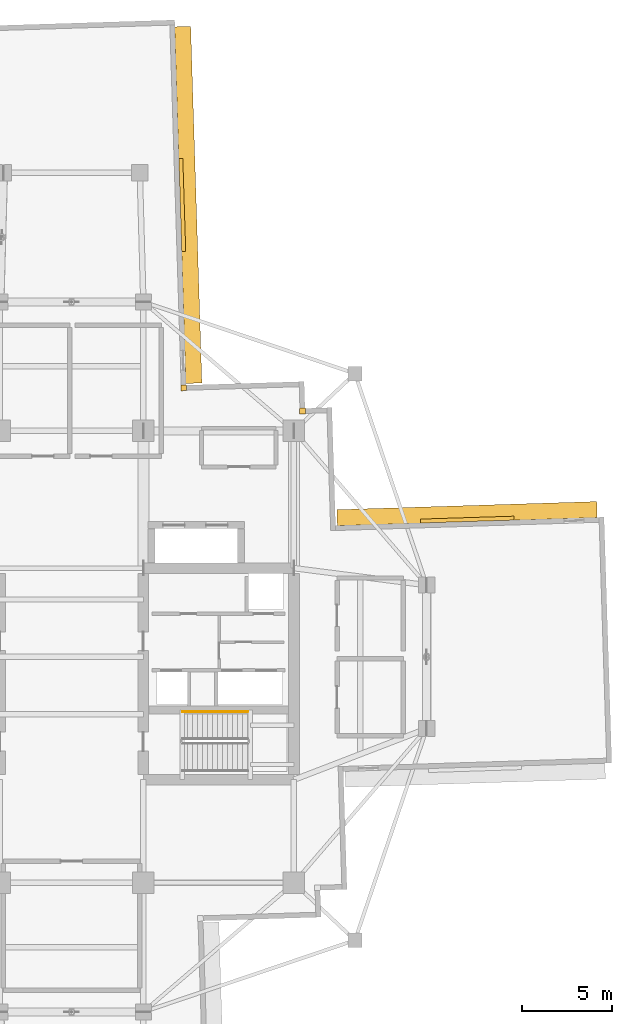
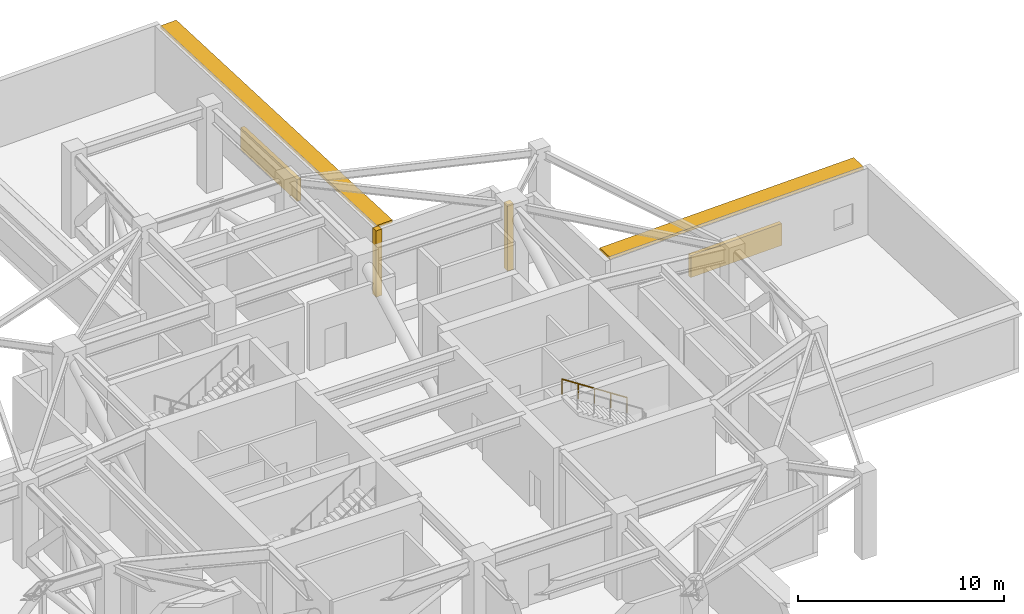
# One storey, part 17 of 17: 4 shading devices, 2 coverings, 1 railing.
"""IFC4 building model written with IfcOpenShell, lengths in metres."""

import ifcopenshell
import ifcopenshell.guid

model = None  # the IFC model being written
_history = None  # IfcOwnerHistory: only IFC2X3 demands one
_inside = {}  # id of a spatial element -> (the spatial element, [elements in it])
_under = {}  # id of a project, library or spatial element -> (it, [spatial elements below it])
_declared = {}  # id of a project -> (the project, [libraries it declares])
_typed = {}  # id of a type object -> (the type object, [elements of that type])
_made_of = {}  # id of a material, layer set ... -> (it, [elements and type objects made of it])


def new_model(schema):
    """Start an empty IFC model of exactly this schema.

    Asked for "IFC4X3", IfcOpenShell would pick the latest addendum, in which some entities
    have other attributes; the version numbers below select the first issue.
    IFC2X3 requires an IfcOwnerHistory on every rooted entity: one is made here for all.
    """
    global model, _history
    if schema == "IFC4X3":
        model = ifcopenshell.file(schema_version=(4, 3, 0, 0))
    else:
        model = ifcopenshell.file(schema=schema)
    _inside.clear()
    _under.clear()
    _declared.clear()
    _typed.clear()
    _made_of.clear()
    _history = None
    if model.schema == "IFC2X3":
        org = make("IfcOrganization", Name="unknown")
        user = make(
            "IfcPersonAndOrganization",
            ThePerson=make("IfcPerson", FamilyName="unknown"),
            TheOrganization=org,
        )
        app = make(
            "IfcApplication",
            ApplicationDeveloper=org,
            Version="unknown",
            ApplicationFullName="unknown",
            ApplicationIdentifier="unknown",
        )
        _history = make(
            "IfcOwnerHistory",
            OwningUser=user,
            OwningApplication=app,
            ChangeAction="ADDED",
            CreationDate=0,
        )
    return model


def make(cls, **values):
    """One entity of the class cls with the attributes given. An attribute that is None is left unset."""
    return model.create_entity(
        cls, **{name: value for name, value in values.items() if value is not None}
    )


def rooted(cls, **values):
    """An entity with a GlobalId (a new one), such as an element, a storey or a relation."""
    return make(cls, GlobalId=ifcopenshell.guid.new(), OwnerHistory=_history, **values)


def si_unit(unit_type, name, prefix=None):
    """IfcSIUnit, for example si_unit("LENGTHUNIT", "METRE", prefix="MILLI")."""
    return make("IfcSIUnit", UnitType=unit_type, Prefix=prefix, Name=name)


def assignment(units):
    """IfcUnitAssignment: the units of a project."""
    return None if units is None else make("IfcUnitAssignment", Units=units)


def point(xyz):
    """IfcCartesianPoint."""
    return None if xyz is None else make("IfcCartesianPoint", Coordinates=xyz)


def direction(xyz):
    """IfcDirection."""
    return None if xyz is None else make("IfcDirection", DirectionRatios=xyz)


def frame(location, z_axis=None, x_axis=None):
    """IfcAxis2Placement3D, a coordinate frame: its origin and axes. An axis left out is left unset."""
    return make(
        "IfcAxis2Placement3D",
        Location=point(location),
        Axis=direction(z_axis),
        RefDirection=direction(x_axis),
    )


def frame_2d(location, x_axis=None):
    """IfcAxis2Placement2D, a coordinate frame in the plane: its origin and x axis."""
    return make(
        "IfcAxis2Placement2D", Location=point(location), RefDirection=direction(x_axis)
    )


def origin():
    """The frame at (0, 0, 0) with its axes left unset."""
    return frame((0.0, 0.0, 0.0))


def origin_2d():
    """The frame at (0, 0) in the plane with its x axis left unset."""
    return frame_2d((0.0, 0.0))


def place(relative_to, where):
    """IfcLocalPlacement: puts the frame where relative to a parent placement (None: the world)."""
    return make(
        "IfcLocalPlacement", PlacementRelTo=relative_to, RelativePlacement=where
    )


def context(
    kind, dimensions, precision=None, world=None, true_north=None, identifier=None
):
    """IfcGeometricRepresentationContext, for example the 3D "Model" context."""
    return make(
        "IfcGeometricRepresentationContext",
        ContextIdentifier=identifier,
        ContextType=kind,
        CoordinateSpaceDimension=dimensions,
        Precision=precision,
        WorldCoordinateSystem=world,
        TrueNorth=true_north,
    )


def subcontext(parent, identifier, kind, view, scale=None):
    """IfcGeometricRepresentationSubContext, for example "Body" below "Model"."""
    return make(
        "IfcGeometricRepresentationSubContext",
        ContextIdentifier=identifier,
        ContextType=kind,
        ParentContext=parent,
        TargetScale=scale,
        TargetView=view,
    )


def project(units=None, contexts=None):
    """IfcProject with its units and contexts."""
    return rooted(
        "IfcProject",
        Name="project",
        RepresentationContexts=contexts,
        UnitsInContext=assignment(units),
    )


def spatial(cls, under=None, at=None, **own):
    """A site, building, storey or space (cls), placed at a placement, below another one or the project."""
    s = rooted(cls, ObjectPlacement=at, **own)
    if under is not None:
        _under.setdefault(under.id(), (under, []))[1].append(s)
    return s


def profile(cls, at=None, kind="AREA", **sizes):
    """A parametric profile (cls). Its sizes go by their IFC names, for example OverallWidth=200.0."""
    return make(cls, ProfileType=kind, Position=at, **sizes)


def rectangle(**sizes):
    """IfcRectangleProfileDef."""
    return profile("IfcRectangleProfileDef", **sizes)


def circle(**sizes):
    """IfcCircleProfileDef."""
    return profile("IfcCircleProfileDef", **sizes)


def extrude(swept, where, along, depth):
    """IfcExtrudedAreaSolid: the profile swept, set in the frame where, extruded along a direction by depth."""
    return make(
        "IfcExtrudedAreaSolid",
        SweptArea=swept,
        Position=where,
        ExtrudedDirection=direction(along),
        Depth=depth,
    )


def shape(context_of_items, identifier, shape_type, items):
    """IfcShapeRepresentation: the items that make up one representation, for example the "Body"."""
    return make(
        "IfcShapeRepresentation",
        ContextOfItems=context_of_items,
        RepresentationIdentifier=identifier,
        RepresentationType=shape_type,
        Items=items,
    )


def material(Name=None, Category=None):
    """IfcMaterial."""
    return make("IfcMaterial", Name=Name, Category=Category)


def layer(
    of_material, thickness, ventilated=None, Name=None, Category=None, Priority=None
):
    """IfcMaterialLayer: one layer of a wall or slab, of a material (None: an air gap)."""
    return make(
        "IfcMaterialLayer",
        Material=of_material,
        LayerThickness=thickness,
        IsVentilated=ventilated,
        Name=Name,
        Category=Category,
        Priority=Priority,
    )


def layer_set(layers, Name=None):
    """IfcMaterialLayerSet."""
    return make("IfcMaterialLayerSet", MaterialLayers=layers, LayerSetName=Name)


def made_of(thing, what):
    """Note that an element or type object is made of a material, layer set ...; save() writes the relation."""
    if what is not None:
        _made_of.setdefault(what.id(), (what, []))[1].append(thing)
    return thing


def type_object(cls, material=None, **own):
    """A type object (cls), such as IfcWallType, which elements share."""
    return made_of(rooted(cls, **own), material)


def element(
    cls,
    number,
    at=None,
    inside=None,
    cuts=None,
    type_object=None,
    material=None,
    context=None,
    identifier="Body",
    shape_type=None,
    held_by="IfcProductDefinitionShape",
    body=None,
    shapes=None,
    **own,
):
    """One element of the class cls, such as IfcWall. Its Tag is "e" and its number.

    at: its placement. inside: the storey or other place that contains it. cuts: it is an
    opening in that element (IfcRelVoidsElement). A single representation is given by context,
    identifier, shape_type and body (its items); several are given by shapes. held_by: the class
    of the entity that holds the representations. save() writes the other relations.
    """
    e = rooted(cls, Tag="e%d" % number, ObjectPlacement=at, **own)
    if body is not None:
        shapes = [shape(context, identifier, shape_type, body)]
    if shapes is not None:
        e.Representation = make(held_by, Representations=shapes)
    if inside is not None:
        _inside.setdefault(inside.id(), (inside, []))[1].append(e)
    if cuts is not None:
        rooted(
            "IfcRelVoidsElement", RelatingBuildingElement=cuts, RelatedOpeningElement=e
        )
    if type_object is not None:
        _typed.setdefault(type_object.id(), (type_object, []))[1].append(e)
    return made_of(e, material)


def aggregate(whole, parts):
    """IfcRelAggregates: a whole, such as a stair, and the parts it consists of."""
    return rooted("IfcRelAggregates", RelatingObject=whole, RelatedObjects=parts)


def save(model, path):
    """Write the relations noted so far, then the file.

    IfcRelAggregates (storeys below a building ...), IfcRelContainedInSpatialStructure (elements
    in a storey), IfcRelDefinesByType, IfcRelAssociatesMaterial and IfcRelDeclares: one each for
    every whole, place, type object, material and project.
    """
    for whole, parts in _under.values():
        aggregate(whole, parts)
    for where, things in _inside.values():
        rooted(
            "IfcRelContainedInSpatialStructure",
            RelatedElements=things,
            RelatingStructure=where,
        )
    for kind, things in _typed.values():
        rooted("IfcRelDefinesByType", RelatedObjects=things, RelatingType=kind)
    for what, things in _made_of.values():
        rooted("IfcRelAssociatesMaterial", RelatedObjects=things, RelatingMaterial=what)
    for by, libraries in _declared.values():
        rooted("IfcRelDeclares", RelatingContext=by, RelatedDefinitions=libraries)
    model.write(path)


model = new_model("IFC4")

# Units and contexts
model_context = context("Model", 3, precision=1e-05, world=origin(), true_north=direction((0.0, 1.0)))
body_context = subcontext(model_context, "Body", "Model", "MODEL_VIEW")
ifc_project = project(units=[si_unit("LENGTHUNIT", "METRE"), si_unit("AREAUNIT", "SQUARE_METRE"), si_unit("VOLUMEUNIT", "CUBIC_METRE"), si_unit("PLANEANGLEUNIT", "RADIAN"), si_unit("MASSUNIT", "GRAM", prefix="KILO")], contexts=[model_context])

# Site, building, storey
site_placement = place(None, origin())
site = spatial("IfcSite", under=ifc_project, at=site_placement, CompositionType="ELEMENT")
building_placement = place(site_placement, origin())
building = spatial("IfcBuilding", under=site, at=building_placement, Name="Qingluan Cross Belvedere", CompositionType="ELEMENT")
storey_placement = place(building_placement, frame((0.0, 0.0, 191.699951171875)))
storey = spatial("IfcBuildingStorey", under=building, at=storey_placement, Name="L48", CompositionType="ELEMENT", Elevation=191.699951171875)

# Coverings
ifc_material_1 = material(Name="Precast concrete C45", Category="concrete")
ifc_layer_1 = layer(ifc_material_1, 0.1201171875, Name="ConcreteSpandrelCladding_120")
ifc_layer_set_1 = layer_set([ifc_layer_1], Name="Precast concrete C45")
covering_type = type_object("IfcCoveringType", Name="ConcreteSpandrelCladding_120", PredefinedType="CLADDING", material=ifc_layer_set_1)
for number, where, z_axis, x_axis, name in (
    (1, (12.875732421875, 13.711181640625, 0.0), (0.0, 0.0, 1.0), (0.999506560366, 0.031410759078, 0.0), "Corner closure L48-NE1"),
    (2, (6.251708984375, 15.00390625, 0.0), (0.0, 0.0, 1.0), (0.999506560366, 0.031410759078, 0.0), "Corner closure L48-NE2"),
):
    element("IfcCovering", number, at=place(storey_placement, frame(where, z_axis=z_axis, x_axis=x_axis)), inside=storey, type_object=covering_type, Name=name, PredefinedType="CLADDING", context=body_context, shape_type="SweptSolid", body=[
        extrude(rectangle(XDim=0.320068359375, YDim=0.320068359375, at=origin_2d()), origin(), (0.0, 0.0, 1.0), 3.929931640625),
    ])

# Shading devices
ifc_material_2 = material(Name="Precast concrete C45", Category="concrete")
ifc_layer_2 = layer(ifc_material_2, 0.159912109375, Name="ConcreteSunshadeBand_900")
ifc_layer_set_2 = layer_set([ifc_layer_2], Name="Precast concrete C45")
shading_device_type_1 = type_object("IfcShadingDeviceType", Name="ConcreteSunshadeBand_900", PredefinedType="USERDEFINED", material=ifc_layer_set_2)
shading_device_1_placement = place(storey_placement, frame((22.050048828125, 7.986572265625, 3.75), z_axis=(0.0, 0.0, 1.0), x_axis=(-0.999506645453, -0.031408051437, 0.0)))
element("IfcShadingDevice", 3, at=shading_device_1_placement, inside=storey, type_object=shading_device_type_1, Name="Concrete SUNSHADE L48-EB", ObjectType="SUNSHADE", PredefinedType="USERDEFINED", context=body_context, shape_type="SweptSolid", body=[
    extrude(rectangle(XDim=14.5, YDim=0.89990234375, at=origin_2d()), origin(), (0.0, 0.0, 1.0), 0.159912109375),
])
shading_device_2_placement = place(storey_placement, frame((6.50146484375, 25.206787109375, 3.75), z_axis=(0.0, 0.0, 1.0), x_axis=(-0.031407934627, 0.999506649124, 0.0)))
element("IfcShadingDevice", 4, at=shading_device_2_placement, inside=storey, type_object=shading_device_type_1, Name="Concrete SUNSHADE L48-NA", ObjectType="SUNSHADE", PredefinedType="USERDEFINED", context=body_context, shape_type="SweptSolid", body=[
    extrude(rectangle(XDim=19.89990234375, YDim=0.89990234375, at=origin_2d()), origin(), (0.0, 0.0, 1.0), 0.159912109375),
])
ifc_material_3 = material(Name="Anodised aluminium acoustic louvre screen", Category="aluminium")
ifc_layer_3 = layer(ifc_material_3, 0.219970703125, Name="RefugeAcousticLouvre_Screen")
ifc_layer_set_3 = layer_set([ifc_layer_3], Name="Anodised aluminium acoustic louvre screen")
shading_device_type_2 = type_object("IfcShadingDeviceType", Name="RefugeAcousticLouvre_Screen", PredefinedType="JALOUSIE", material=ifc_layer_set_3)
for number, where, z_axis, x_axis, name in (
    (5, (22.060302734375, 7.65673828125, 0.9501953125), (0.0, 0.0, 1.0), (-0.999506645453, -0.031408051437, 0.0), "Plant acoustic louvre SCREEN L48-EB"),
    (6, (6.171630859375, 25.1962890625, 0.9501953125), (0.0, 0.0, 1.0), (-0.031407934627, 0.999506649124, 0.0), "Plant acoustic louvre SCREEN L48-NA"),
):
    element("IfcShadingDevice", number, at=place(storey_placement, frame(where, z_axis=z_axis, x_axis=x_axis)), inside=storey, type_object=shading_device_type_2, Name=name, PredefinedType="JALOUSIE", context=body_context, shape_type="SweptSolid", body=[
        extrude(rectangle(XDim=5.199951171875, YDim=0.219970703125, at=origin_2d()), origin(), (0.0, 0.0, 1.0), 1.300048828125),
    ])

# Railing
ifc_material_4 = material(Name="Brushed stainless steel tubular handrail", Category="steel")
railing_type = type_object("IfcRailingType", Name="StairPitchHandrail_900", PredefinedType="HANDRAIL", material=ifc_material_4)
railing_placement = place(storey_placement, frame((9.820068359375, -3.050048828125, 2.732177734375)))
element("IfcRailing", 7, at=railing_placement, inside=storey, type_object=railing_type, Name="L48 ST2 stair handrail 2", PredefinedType="HANDRAIL", context=body_context, shape_type="SweptSolid", body=[
    extrude(circle(Radius=0.02392578125, at=origin_2d()), frame((0.0, 0.0, 0.8759765625), z_axis=(-0.83825089185, 0.0, 0.545284735081), x_axis=(0.0, -1.0, 0.0)), (0.0, 0.0, 1.0), 4.342529296875),
    extrude(circle(Radius=0.02099609375, at=origin_2d()), origin(), (0.0, 0.0, 1.0), 0.851806640625),
    extrude(circle(Radius=0.02099609375, at=origin_2d()), frame((-0.91015625, 0.0, 0.592041015625)), (0.0, 0.0, 1.0), 0.851806640625),
    extrude(circle(Radius=0.02099609375, at=origin_2d()), frame((-1.820068359375, 0.0, 1.18408203125)), (0.0, 0.0, 1.0), 0.851806640625),
    extrude(circle(Radius=0.02099609375, at=origin_2d()), frame((-2.72998046875, 0.0, 1.77587890625)), (0.0, 0.0, 1.0), 0.851806640625),
    extrude(circle(Radius=0.02099609375, at=origin_2d()), frame((-3.64013671875, 0.0, 2.367919921875)), (0.0, 0.0, 1.0), 0.851806640625),
])

save(model, "model.ifc")
